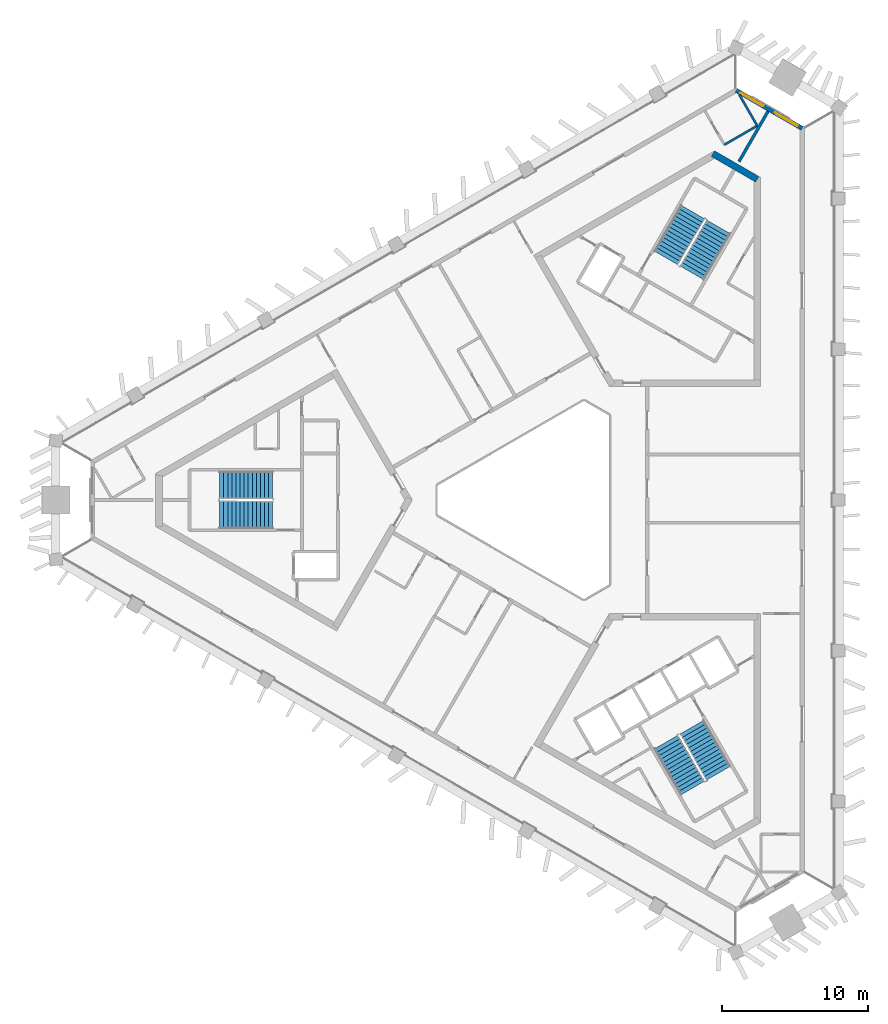
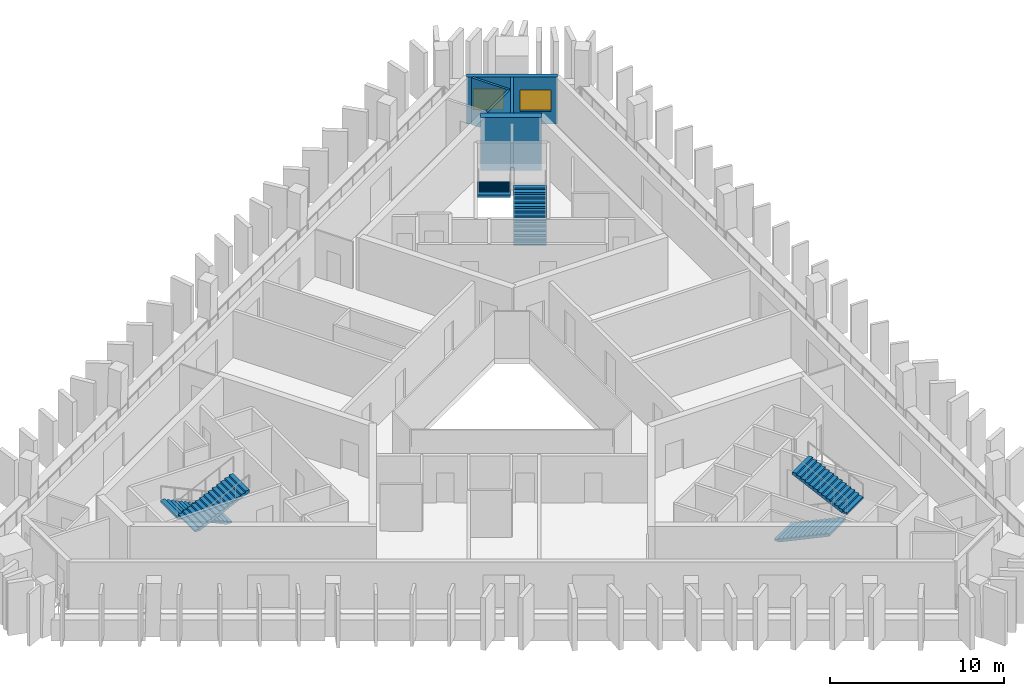
# One storey, part 6 of 10: 6 stair flights, 5 walls, 2 windows, 2 openings, 3 elements without a shape of their own.
"""IFC4 building model written with IfcOpenShell, lengths in metres."""

from ifc_helpers import new_model, si_unit, direction, frame, frame_2d, origin, place, context, subcontext, project, spatial, polyline, rectangle, outline, extrude, material, layer, layer_set, type_object, element, fill, aggregate, save


model = new_model("IFC4")

# Units and contexts
model_context = context("Model", 3, precision=1e-05, world=origin(), true_north=direction((0.0, 1.0)))
body_context = subcontext(model_context, "Body", "Model", "MODEL_VIEW")
ifc_project = project(units=[si_unit("LENGTHUNIT", "METRE"), si_unit("AREAUNIT", "SQUARE_METRE"), si_unit("VOLUMEUNIT", "CUBIC_METRE"), si_unit("PLANEANGLEUNIT", "RADIAN"), si_unit("MASSUNIT", "GRAM", prefix="KILO")], contexts=[model_context])

# Site, building, storey
site_placement = place(None, origin())
site = spatial("IfcSite", under=ifc_project, at=site_placement, CompositionType="ELEMENT")
building_placement = place(site_placement, origin())
building = spatial("IfcBuilding", under=site, at=building_placement, Name="Jabali Bay Hotel Tower and Convention Centre", CompositionType="ELEMENT")
storey_placement = place(building_placement, frame((0.0, 0.0, 216.89990234375)))
storey = spatial("IfcBuildingStorey", under=building, at=storey_placement, Name="L53", CompositionType="ELEMENT", Elevation=216.89990234375)

# Wall
ifc_material_1 = material(Name="Concrete C60", Category="concrete")
ifc_layer_1 = layer(ifc_material_1, 0.449951171875)
ifc_layer_set_1 = layer_set([ifc_layer_1], Name="Concrete C60")
wall_type_1 = type_object("IfcWallType", Name="Core wall 450", PredefinedType="SHEAR", material=ifc_layer_set_1)
wall_1_placement = place(storey_placement, frame((89.655029296875, 101.997802734375, 0.0), z_axis=(0.0, 0.0, 1.0), x_axis=(-0.866042179588, 0.49997094233, 0.0)))
element("IfcWall", 1, at=wall_1_placement, inside=storey, type_object=wall_type_1, Name="Core wall 2.3 L53", PredefinedType="SHEAR", context=body_context, shape_type="SweptSolid", body=[
    extrude(rectangle(XDim=3.515380859375, YDim=0.449951171875, at=frame_2d((1.7578125, 0.0))), origin(), (0.0, 0.0, 1.0), 3.7001953125),
])

# Wall, openings, windows
ifc_material_2 = material(Name="Concrete C40", Category="concrete")
ifc_layer_2 = layer(ifc_material_2, 0.300048828125)
ifc_layer_set_2 = layer_set([ifc_layer_2], Name="Concrete C40")
wall_type_2 = type_object("IfcWallType", Name="External wall 300", PredefinedType="SOLIDWALL", material=ifc_layer_set_2)
wall_2_placement = place(storey_placement, frame((88.210205078125, 108.095947265625, 0.0), z_axis=(0.0, 0.0, 1.0), x_axis=(0.866045268016, -0.499965592563, 0.0)))
wall_2 = element("IfcWall", 2, at=wall_2_placement, inside=storey, type_object=wall_type_2, Name="External wall north-east chamfer L53", PredefinedType="SOLIDWALL", context=body_context, shape_type="SweptSolid", body=[
    extrude(rectangle(XDim=5.215087890625, YDim=0.300048828125, at=frame_2d((2.607421875, 0.0))), origin(), (0.0, 0.0, 1.0), 3.300048828125),
])
opening_1_placement = place(wall_2_placement, frame((3.05419921875, 0.0, 0.89990234375)))
opening_1 = element("IfcOpeningElement", 3, at=opening_1_placement, cuts=wall_2, Name="Opening W1", PredefinedType="OPENING", context=body_context, shape_type="SweptSolid", body=[
    extrude(rectangle(XDim=1.800048828125, YDim=1.5, at=frame_2d((0.89990234375, 0.75))), frame((0.0, 0.16064453125, 0.0), z_axis=(0.0, -1.0, 0.0), x_axis=(1.0, 0.0, 0.0)), (0.0, 0.0, 1.0), 0.321044921875),
])
opening_2_placement = place(wall_2_placement, frame((0.351318359375, 0.0, 0.89990234375)))
opening_2 = element("IfcOpeningElement", 4, at=opening_2_placement, cuts=wall_2, Name="Opening W1", PredefinedType="OPENING", context=body_context, shape_type="SweptSolid", body=[
    extrude(rectangle(XDim=1.800048828125, YDim=1.5, at=frame_2d((0.89990234375, 0.75))), frame((0.0, 0.16064453125, 0.0), z_axis=(0.0, -1.0, 0.0), x_axis=(1.0, 0.0, 0.0)), (0.0, 0.0, 1.0), 0.321044921875),
])
ifc_material_3 = material(Name="Glass", Category="glass")
window_type = type_object("IfcWindowType", Name="Window 1800 x 1500", PartitioningType="SINGLE_PANEL", PredefinedType="WINDOW", material=ifc_material_3)
window_1_placement = place(opening_1_placement, origin())
window_1 = element("IfcWindow", 5, at=window_1_placement, inside=storey, type_object=window_type, Name="Window 5302", OverallHeight=1.5, OverallWidth=1.800048828125, PartitioningType="SINGLE_PANEL", PredefinedType="WINDOW", context=body_context, shape_type="SweptSolid", body=[
    extrude(rectangle(XDim=1.800048828125, YDim=1.5, at=frame_2d((0.89990234375, 0.75))), frame((0.0, 0.030029296875, 0.0), z_axis=(0.0, -1.0, 0.0), x_axis=(1.0, 0.0, 0.0)), (0.0, 0.0, 1.0), 0.06005859375),
])
fill(opening_1, window_1)
window_2_placement = place(opening_2_placement, origin())
window_2 = element("IfcWindow", 6, at=window_2_placement, inside=storey, type_object=window_type, Name="Window 5303", OverallHeight=1.5, OverallWidth=1.800048828125, PartitioningType="SINGLE_PANEL", PredefinedType="WINDOW", context=body_context, shape_type="SweptSolid", body=[
    extrude(rectangle(XDim=1.800048828125, YDim=1.5, at=frame_2d((0.89990234375, 0.75))), frame((0.0, 0.030029296875, 0.0), z_axis=(0.0, -1.0, 0.0), x_axis=(1.0, 0.0, 0.0)), (0.0, 0.0, 1.0), 0.06005859375),
])
fill(opening_2, window_2)

# Walls
ifc_material_4 = material(Name="Plasterboard on steel stud", Category="steel")
ifc_layer_3 = layer(ifc_material_4, 0.14990234375)
ifc_layer_set_3 = layer_set([ifc_layer_3], Name="Plasterboard on steel stud")
wall_type_3 = type_object("IfcWallType", Name="Partition 150 wet", PredefinedType="PARTITIONING", material=ifc_layer_set_3)
wall_3_placement = place(storey_placement, frame((88.417724609375, 107.80419921875, 0.0), z_axis=(0.0, 0.0, 1.0), x_axis=(0.500010657777, -0.866019250426, 0.0)))
element("IfcWall", 7, at=wall_3_placement, inside=storey, type_object=wall_type_3, Name="Partition P03 L53 011", PredefinedType="PARTITIONING", context=body_context, shape_type="SweptSolid", body=[
    extrude(rectangle(XDim=2.46875, YDim=0.14990234375, at=frame_2d((1.234375, 0.0))), origin(), (0.0, 0.0, 1.0), 3.300048828125),
])
wall_4_placement = place(storey_placement, frame((89.652099609375, 105.666259765625, 0.0), z_axis=(0.0, 0.0, 1.0), x_axis=(-0.866021400173, -0.500006934395, 0.0)))
element("IfcWall", 8, at=wall_4_placement, inside=storey, type_object=wall_type_3, Name="Partition P03 L53 012", PredefinedType="PARTITIONING", context=body_context, shape_type="SweptSolid", body=[
    extrude(rectangle(XDim=2.60009765625, YDim=0.14990234375, at=frame_2d((1.300048828125, 0.0))), origin(), (0.0, 0.0, 1.0), 3.300048828125),
])
ifc_layer_4 = layer(ifc_material_4, 0.199951171875)
ifc_layer_set_4 = layer_set([ifc_layer_4], Name="Plasterboard on steel stud")
wall_type_4 = type_object("IfcWallType", Name="Partition 200 party", PredefinedType="PARTITIONING", material=ifc_layer_set_4)
wall_5_placement = place(storey_placement, frame((90.39404296875, 106.6630859375, 0.0), z_axis=(0.0, 0.0, 1.0), x_axis=(-0.49999285859, -0.86602952684, 0.0)))
element("IfcWall", 9, at=wall_5_placement, inside=storey, type_object=wall_type_4, Name="Partition P01 L53 008", PredefinedType="PARTITIONING", context=body_context, shape_type="SweptSolid", body=[
    extrude(rectangle(XDim=3.98583984375, YDim=0.199951171875, at=frame_2d((1.992919921875, 0.0))), origin(), (0.0, 0.0, 1.0), 3.300048828125),
])

# Stair, stair flights
stair_type = type_object("IfcStairType", Name="Exit stair 1900", PredefinedType="HALF_TURN_STAIR", material=ifc_material_2)
stair_1_placement = place(storey_placement, origin())
stair_1 = element("IfcStair", 10, at=stair_1_placement, inside=storey, type_object=stair_type, Name="L53 Exit Stair 1", PredefinedType="HALF_TURN_STAIR")
stair_flight_type = type_object("IfcStairFlightType", Name="Stair flight concrete 150", PredefinedType="STRAIGHT", material=ifc_material_2)
stair_flight_1_placement = place(storey_placement, frame((56.419921875, 81.02490234375, 0.0), z_axis=(0.0, 0.0, 1.0), x_axis=(-1.0, 0.0, 0.0)))
stair_flight_1 = element("IfcStairFlight", 11, at=stair_flight_1_placement, type_object=stair_flight_type, Name="ST1 flight 1", NumberOfRisers=14, NumberOfTreads=13, PredefinedType="STRAIGHT", RiserHeight=0.132142857, TreadLength=0.28, context=body_context, shape_type="SweptSolid", body=[
    extrude(outline(polyline([(0.0, 0.0), (0.0, 0.132080078125), (0.280029296875, 0.132080078125), (0.280029296875, 0.264404296875), (0.56005859375, 0.264404296875), (0.56005859375, 0.396484375), (0.840087890625, 0.396484375), (0.840087890625, 0.528564453125), (1.1201171875, 0.528564453125), (1.1201171875, 0.66064453125), (1.39990234375, 0.66064453125), (1.39990234375, 0.79296875), (1.679931640625, 0.79296875), (1.679931640625, 0.925048828125), (1.9599609375, 0.925048828125), (1.9599609375, 1.05712890625), (2.239990234375, 1.05712890625), (2.239990234375, 1.189208984375), (2.52001953125, 1.189208984375), (2.52001953125, 1.321533203125), (2.800048828125, 1.321533203125), (2.800048828125, 1.45361328125), (3.080078125, 1.45361328125), (3.080078125, 1.585693359375), (3.360107421875, 1.585693359375), (3.360107421875, 1.7177734375), (3.639892578125, 1.7177734375), (3.639892578125, 1.85009765625), (3.639892578125, 1.552001953125), (0.351318359375, 0.0), (0.0, 0.0)])), frame((0.0, 0.949951171875, 0.0), z_axis=(0.0, -1.0, 0.0), x_axis=(1.0, 0.0, 0.0)), (0.0, 0.0, 1.0), 1.89990234375),
])
stair_flight_2_placement = place(storey_placement, frame((52.780029296875, 78.97509765625, 1.85009765625), z_axis=(0.0, 0.0, 1.0), x_axis=(1.0, 0.0, 0.0)))
stair_flight_2 = element("IfcStairFlight", 12, at=stair_flight_2_placement, type_object=stair_flight_type, Name="ST1 flight 2", NumberOfRisers=14, NumberOfTreads=13, PredefinedType="STRAIGHT", RiserHeight=0.132142857, TreadLength=0.28, context=body_context, shape_type="SweptSolid", body=[
    extrude(outline(polyline([(0.0, 0.0), (0.0, 0.132080078125), (0.280029296875, 0.132080078125), (0.280029296875, 0.264404296875), (0.56005859375, 0.264404296875), (0.56005859375, 0.396484375), (0.840087890625, 0.396484375), (0.840087890625, 0.528564453125), (1.1201171875, 0.528564453125), (1.1201171875, 0.66064453125), (1.39990234375, 0.66064453125), (1.39990234375, 0.79296875), (1.679931640625, 0.79296875), (1.679931640625, 0.925048828125), (1.9599609375, 0.925048828125), (1.9599609375, 1.05712890625), (2.239990234375, 1.05712890625), (2.239990234375, 1.189208984375), (2.52001953125, 1.189208984375), (2.52001953125, 1.321533203125), (2.800048828125, 1.321533203125), (2.800048828125, 1.45361328125), (3.080078125, 1.45361328125), (3.080078125, 1.585693359375), (3.360107421875, 1.585693359375), (3.360107421875, 1.7177734375), (3.639892578125, 1.7177734375), (3.639892578125, 1.85009765625), (3.639892578125, 1.552001953125), (0.351318359375, 0.0), (0.0, 0.0)])), frame((0.0, 0.949951171875, 0.0), z_axis=(0.0, -1.0, 0.0), x_axis=(1.0, 0.0, 0.0)), (0.0, 0.0, 1.0), 1.89990234375),
])
aggregate(stair_1, [stair_flight_1, stair_flight_2])

stair_2_placement = place(storey_placement, origin())
stair_2 = element("IfcStair", 13, at=stair_2_placement, inside=storey, type_object=stair_type, Name="L53 Exit Stair 2", PredefinedType="HALF_TURN_STAIR")
stair_flight_3_placement = place(storey_placement, frame((85.177734375, 95.578369140625, 0.0), z_axis=(0.0, 0.0, 1.0), x_axis=(0.5, 0.866025403784, 0.0)))
stair_flight_3 = element("IfcStairFlight", 14, at=stair_flight_3_placement, type_object=stair_flight_type, Name="ST2 flight 1", NumberOfRisers=14, NumberOfTreads=13, PredefinedType="STRAIGHT", RiserHeight=0.132142857, TreadLength=0.28, context=body_context, shape_type="SweptSolid", body=[
    extrude(outline(polyline([(0.0, 0.0), (0.0, 0.132080078125), (0.280029296875, 0.132080078125), (0.280029296875, 0.264404296875), (0.56005859375, 0.264404296875), (0.56005859375, 0.396484375), (0.840087890625, 0.396484375), (0.840087890625, 0.528564453125), (1.1201171875, 0.528564453125), (1.1201171875, 0.66064453125), (1.39990234375, 0.66064453125), (1.39990234375, 0.79296875), (1.679931640625, 0.79296875), (1.679931640625, 0.925048828125), (1.9599609375, 0.925048828125), (1.9599609375, 1.05712890625), (2.239990234375, 1.05712890625), (2.239990234375, 1.189208984375), (2.52001953125, 1.189208984375), (2.52001953125, 1.321533203125), (2.800048828125, 1.321533203125), (2.800048828125, 1.45361328125), (3.080078125, 1.45361328125), (3.080078125, 1.585693359375), (3.360107421875, 1.585693359375), (3.360107421875, 1.7177734375), (3.639892578125, 1.7177734375), (3.639892578125, 1.85009765625), (3.639892578125, 1.552001953125), (0.351318359375, 0.0), (0.0, 0.0)])), frame((0.0, 0.949951171875, 0.0), z_axis=(0.0, -1.0, 0.0), x_axis=(1.0, 0.0, 0.0)), (0.0, 0.0, 1.0), 1.89990234375),
])
stair_flight_4_placement = place(storey_placement, frame((85.222412109375, 99.755615234375, 1.85009765625), z_axis=(0.0, 0.0, 1.0), x_axis=(-0.5, -0.866025403784, 0.0)))
stair_flight_4 = element("IfcStairFlight", 15, at=stair_flight_4_placement, type_object=stair_flight_type, Name="ST2 flight 2", NumberOfRisers=14, NumberOfTreads=13, PredefinedType="STRAIGHT", RiserHeight=0.132142857, TreadLength=0.28, context=body_context, shape_type="SweptSolid", body=[
    extrude(outline(polyline([(0.0, 0.0), (0.0, 0.132080078125), (0.280029296875, 0.132080078125), (0.280029296875, 0.264404296875), (0.56005859375, 0.264404296875), (0.56005859375, 0.396484375), (0.840087890625, 0.396484375), (0.840087890625, 0.528564453125), (1.1201171875, 0.528564453125), (1.1201171875, 0.66064453125), (1.39990234375, 0.66064453125), (1.39990234375, 0.79296875), (1.679931640625, 0.79296875), (1.679931640625, 0.925048828125), (1.9599609375, 0.925048828125), (1.9599609375, 1.05712890625), (2.239990234375, 1.05712890625), (2.239990234375, 1.189208984375), (2.52001953125, 1.189208984375), (2.52001953125, 1.321533203125), (2.800048828125, 1.321533203125), (2.800048828125, 1.45361328125), (3.080078125, 1.45361328125), (3.080078125, 1.585693359375), (3.360107421875, 1.585693359375), (3.360107421875, 1.7177734375), (3.639892578125, 1.7177734375), (3.639892578125, 1.85009765625), (3.639892578125, 1.552001953125), (0.351318359375, 0.0), (0.0, 0.0)])), frame((0.0, 0.949951171875, 0.0), z_axis=(0.0, -1.0, 0.0), x_axis=(1.0, 0.0, 0.0)), (0.0, 0.0, 1.0), 1.89990234375),
])
aggregate(stair_2, [stair_flight_3, stair_flight_4])

stair_3_placement = place(storey_placement, origin())
stair_3 = element("IfcStair", 16, at=stair_3_placement, inside=storey, type_object=stair_type, Name="L53 Exit Stair 3", PredefinedType="HALF_TURN_STAIR")
stair_flight_5_placement = place(storey_placement, frame((83.40234375, 63.396728515625, 0.0), z_axis=(0.0, 0.0, 1.0), x_axis=(0.5, -0.866025403784, 0.0)))
stair_flight_5 = element("IfcStairFlight", 17, at=stair_flight_5_placement, type_object=stair_flight_type, Name="ST3 flight 1", NumberOfRisers=14, NumberOfTreads=13, PredefinedType="STRAIGHT", RiserHeight=0.132142857, TreadLength=0.28, context=body_context, shape_type="SweptSolid", body=[
    extrude(outline(polyline([(0.0, 0.0), (0.0, 0.132080078125), (0.280029296875, 0.132080078125), (0.280029296875, 0.264404296875), (0.56005859375, 0.264404296875), (0.56005859375, 0.396484375), (0.840087890625, 0.396484375), (0.840087890625, 0.528564453125), (1.1201171875, 0.528564453125), (1.1201171875, 0.66064453125), (1.39990234375, 0.66064453125), (1.39990234375, 0.79296875), (1.679931640625, 0.79296875), (1.679931640625, 0.925048828125), (1.9599609375, 0.925048828125), (1.9599609375, 1.05712890625), (2.239990234375, 1.05712890625), (2.239990234375, 1.189208984375), (2.52001953125, 1.189208984375), (2.52001953125, 1.321533203125), (2.800048828125, 1.321533203125), (2.800048828125, 1.45361328125), (3.080078125, 1.45361328125), (3.080078125, 1.585693359375), (3.360107421875, 1.585693359375), (3.360107421875, 1.7177734375), (3.639892578125, 1.7177734375), (3.639892578125, 1.85009765625), (3.639892578125, 1.552001953125), (0.351318359375, 0.0), (0.0, 0.0)])), frame((0.0, 0.949951171875, 0.0), z_axis=(0.0, -1.0, 0.0), x_axis=(1.0, 0.0, 0.0)), (0.0, 0.0, 1.0), 1.89990234375),
])
stair_flight_6_placement = place(storey_placement, frame((86.99755859375, 61.26953125, 1.85009765625), z_axis=(0.0, 0.0, 1.0), x_axis=(-0.5, 0.866025403784, 0.0)))
stair_flight_6 = element("IfcStairFlight", 18, at=stair_flight_6_placement, type_object=stair_flight_type, Name="ST3 flight 2", NumberOfRisers=14, NumberOfTreads=13, PredefinedType="STRAIGHT", RiserHeight=0.132142857, TreadLength=0.28, context=body_context, shape_type="SweptSolid", body=[
    extrude(outline(polyline([(0.0, 0.0), (0.0, 0.132080078125), (0.280029296875, 0.132080078125), (0.280029296875, 0.264404296875), (0.56005859375, 0.264404296875), (0.56005859375, 0.396484375), (0.840087890625, 0.396484375), (0.840087890625, 0.528564453125), (1.1201171875, 0.528564453125), (1.1201171875, 0.66064453125), (1.39990234375, 0.66064453125), (1.39990234375, 0.79296875), (1.679931640625, 0.79296875), (1.679931640625, 0.925048828125), (1.9599609375, 0.925048828125), (1.9599609375, 1.05712890625), (2.239990234375, 1.05712890625), (2.239990234375, 1.189208984375), (2.52001953125, 1.189208984375), (2.52001953125, 1.321533203125), (2.800048828125, 1.321533203125), (2.800048828125, 1.45361328125), (3.080078125, 1.45361328125), (3.080078125, 1.585693359375), (3.360107421875, 1.585693359375), (3.360107421875, 1.7177734375), (3.639892578125, 1.7177734375), (3.639892578125, 1.85009765625), (3.639892578125, 1.552001953125), (0.351318359375, 0.0), (0.0, 0.0)])), frame((0.0, 0.949951171875, 0.0), z_axis=(0.0, -1.0, 0.0), x_axis=(1.0, 0.0, 0.0)), (0.0, 0.0, 1.0), 1.89990234375),
])
aggregate(stair_3, [stair_flight_5, stair_flight_6])

save(model, "model.ifc")
